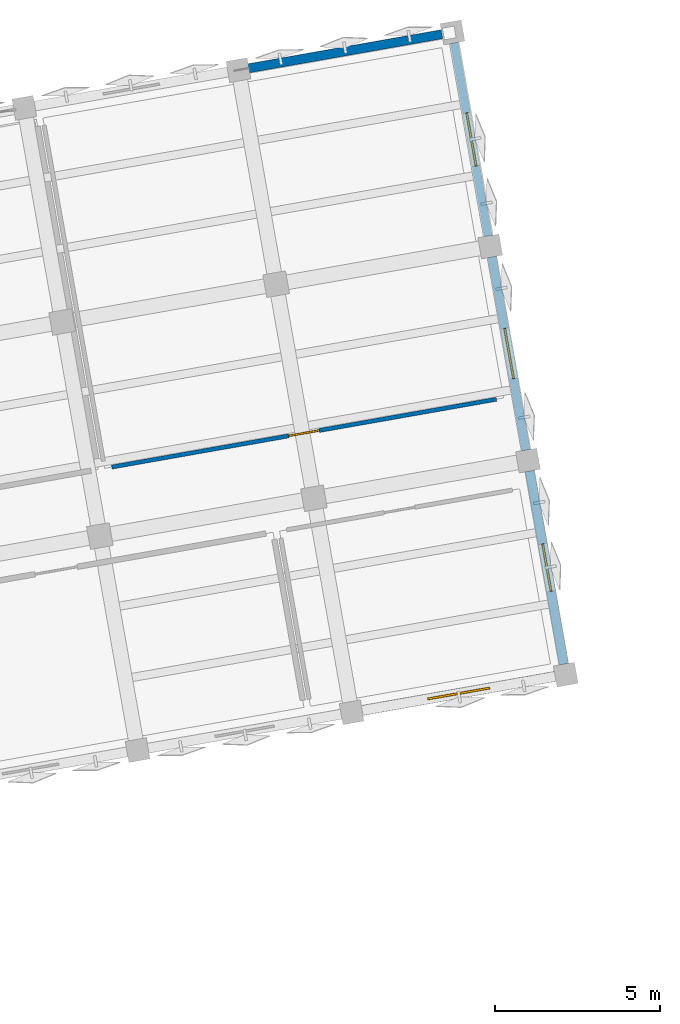
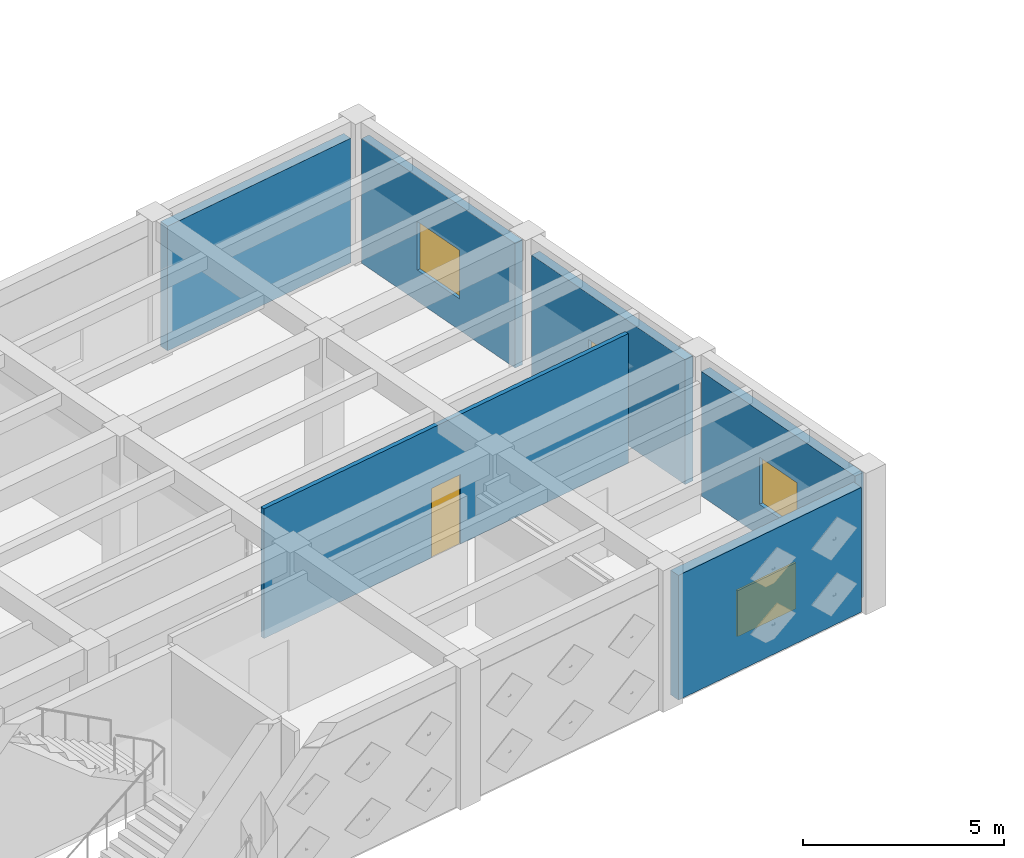
# One storey, part 39 of 48: 6 walls, 4 windows, 1 door, 5 openings.
"""IFC4 building model written with IfcOpenShell, lengths in metres."""

from ifc_helpers import new_model, si_unit, direction, frame, frame_2d, origin, place, context, subcontext, project, spatial, rectangle, extrude, material, layer, layer_set, type_object, element, fill, save


model = new_model("IFC4")

# Units and contexts
model_context = context("Model", 3, precision=1e-05, world=origin(), true_north=direction((0.0, 1.0)))
body_context = subcontext(model_context, "Body", "Model", "MODEL_VIEW")
ifc_project = project(units=[si_unit("LENGTHUNIT", "METRE"), si_unit("AREAUNIT", "SQUARE_METRE"), si_unit("VOLUMEUNIT", "CUBIC_METRE"), si_unit("PLANEANGLEUNIT", "RADIAN"), si_unit("MASSUNIT", "GRAM", prefix="KILO")], contexts=[model_context])

# Site, building, storey
site_placement = place(None, origin())
site = spatial("IfcSite", under=ifc_project, at=site_placement, CompositionType="ELEMENT")
building_placement = place(site_placement, origin())
building = spatial("IfcBuilding", under=site, at=building_placement, Name="Kharisveld Research Institute", CompositionType="ELEMENT")
storey_placement = place(building_placement, frame((0.0, 0.0, 14.10009765625)))
storey = spatial("IfcBuildingStorey", under=building, at=storey_placement, Name="L03", CompositionType="ELEMENT", Elevation=14.10009765625)

# Wall, opening, window
ifc_material_1 = material(Name="Lightweight Acoustic Spandrel", Category="mineral")
ifc_layer_1 = layer(ifc_material_1, 0.2451171875)
ifc_layer_set_1 = layer_set([ifc_layer_1], Name="WL_EXT_245")
wall_type_1 = type_object("IfcWallType", Name="WL_EXT_245", PredefinedType="STANDARD", material=ifc_layer_set_1)
wall_1_placement = place(storey_placement, frame((40.815673828125, 61.070556640625, 0.0), z_axis=(0.0, 0.0, 1.0), x_axis=(0.173645120828, -0.98480829201, 0.0)))
wall_1 = element("IfcWall", 1, at=wall_1_placement, inside=storey, type_object=wall_type_1, Name="WL:V1:L03:E3", PredefinedType="STANDARD", context=body_context, shape_type="SweptSolid", body=[
    extrude(rectangle(XDim=5.9599609375, YDim=0.2451171875, at=frame_2d((2.97998046875, 0.0))), origin(), (0.0, 0.0, 1.0), 3.794921875),
])
opening_1_placement = place(wall_1_placement, frame((2.159912109375, 0.0, 0.949951171875)))
opening_1 = element("IfcOpeningElement", 2, at=opening_1_placement, cuts=wall_1, Name="Opening WN-26", PredefinedType="OPENING", context=body_context, shape_type="SweptSolid", body=[
    extrude(rectangle(XDim=1.639892578125, YDim=1.47998046875, at=frame_2d((0.81982421875, 0.739990234375))), frame((0.0, 0.12255859375, 0.0), z_axis=(0.0, -1.0, 0.0), x_axis=(1.0, 0.0, 0.0)), (0.0, 0.0, 1.0), 0.2451171875),
])
ifc_material_2 = material(Name="Low-E Double Glazing", Category="glass")
window_type_1 = type_object("IfcWindowType", Name="WN_26", PartitioningType="DOUBLE_PANEL_VERTICAL", PredefinedType="WINDOW", material=ifc_material_2)
window_1_placement = place(opening_1_placement, origin())
window_1 = element("IfcWindow", 3, at=window_1_placement, inside=storey, type_object=window_type_1, Name="WN:V1:L03:E3", OverallHeight=1.47998046875, OverallWidth=1.639892578125, PartitioningType="SINGLE_PANEL", PredefinedType="WINDOW", context=body_context, shape_type="SweptSolid", body=[
    extrude(rectangle(XDim=1.639892578125, YDim=1.47998046875, at=frame_2d((0.81982421875, 0.739990234375))), frame((0.0, 0.030029296875, 0.0), z_axis=(0.0, -1.0, 0.0), x_axis=(1.0, 0.0, 0.0)), (0.0, 0.0, 1.0), 0.06005859375),
])
fill(opening_1, window_1)

ifc_material_3 = material(Name="Precast Concrete C40/50 Thermal Wall", Category="concrete")
ifc_layer_2 = layer(ifc_material_3, 0.260009765625)
ifc_layer_set_2 = layer_set([ifc_layer_2], Name="WL_EXT_260")
wall_type_2 = type_object("IfcWallType", Name="WL_EXT_260", PredefinedType="STANDARD", material=ifc_layer_set_2)
wall_2_placement = place(storey_placement, frame((41.9619140625, 54.57080078125, 0.0), z_axis=(0.0, 0.0, 1.0), x_axis=(0.173645120828, -0.98480829201, 0.0)))
wall_2 = element("IfcWall", 4, at=wall_2_placement, inside=storey, type_object=wall_type_2, Name="WL:V1:L03:E2", PredefinedType="STANDARD", context=body_context, shape_type="SweptSolid", body=[
    extrude(rectangle(XDim=5.9599609375, YDim=0.260009765625, at=frame_2d((2.97998046875, 0.0))), origin(), (0.0, 0.0, 1.0), 3.794921875),
])
opening_2_placement = place(wall_2_placement, frame((2.205078125, 0.0, 0.949951171875)))
opening_2 = element("IfcOpeningElement", 5, at=opening_2_placement, cuts=wall_2, Name="Opening WN-25", PredefinedType="OPENING", context=body_context, shape_type="SweptSolid", body=[
    extrude(rectangle(XDim=1.550048828125, YDim=1.4599609375, at=frame_2d((0.77490234375, 0.72998046875))), frame((0.0, 0.1298828125, 0.0), z_axis=(0.0, -1.0, 0.0), x_axis=(1.0, 0.0, 0.0)), (0.0, 0.0, 1.0), 0.260009765625),
])
ifc_material_4 = material(Name="Low-E Double Glazing", Category="glass")
window_type_2 = type_object("IfcWindowType", Name="WN_25", PartitioningType="DOUBLE_PANEL_VERTICAL", PredefinedType="WINDOW", material=ifc_material_4)
window_2_placement = place(opening_2_placement, origin())
window_2 = element("IfcWindow", 6, at=window_2_placement, inside=storey, type_object=window_type_2, Name="WN:V1:L03:E2", OverallHeight=1.4599609375, OverallWidth=1.550048828125, PartitioningType="SINGLE_PANEL", PredefinedType="WINDOW", context=body_context, shape_type="SweptSolid", body=[
    extrude(rectangle(XDim=1.550048828125, YDim=1.4599609375, at=frame_2d((0.77490234375, 0.72998046875))), frame((0.0, 0.030029296875, 0.0), z_axis=(0.0, -1.0, 0.0), x_axis=(1.0, 0.0, 0.0)), (0.0, 0.0, 1.0), 0.06005859375),
])
fill(opening_2, window_2)

# Wall
ifc_material_5 = material(Name="Precast Concrete C40/50 Thermal Wall", Category="concrete")
ifc_layer_3 = layer(ifc_material_5, 0.27490234375)
ifc_layer_set_3 = layer_set([ifc_layer_3], Name="WL_EXT_275")
wall_type_3 = type_object("IfcWallType", Name="WL_EXT_275", PredefinedType="STANDARD", material=ifc_layer_set_3)
wall_3_placement = place(storey_placement, frame((34.575439453125, 60.295166015625, 0.0), z_axis=(0.0, 0.0, 1.0), x_axis=(0.984809527099, 0.173638116021, 0.0)))
element("IfcWall", 7, at=wall_3_placement, inside=storey, type_object=wall_type_3, Name="WL:V1:L03:N5", PredefinedType="STANDARD", context=body_context, shape_type="SweptSolid", body=[
    extrude(rectangle(XDim=5.960205078125, YDim=0.27490234375, at=frame_2d((2.97998046875, 0.0))), origin(), (0.0, 0.0, 1.0), 3.794921875),
])

# Wall, opening, window
wall_4_placement = place(storey_placement, frame((43.10791015625, 48.071044921875, 0.0), z_axis=(0.0, 0.0, 1.0), x_axis=(0.173645120828, -0.98480829201, 0.0)))
wall_4 = element("IfcWall", 8, at=wall_4_placement, inside=storey, type_object=wall_type_3, Name="WL:V1:L03:E1", PredefinedType="STANDARD", context=body_context, shape_type="SweptSolid", body=[
    extrude(rectangle(XDim=5.9599609375, YDim=0.27490234375, at=frame_2d((2.97998046875, 0.0))), origin(), (0.0, 0.0, 1.0), 3.794921875),
])
opening_3_placement = place(wall_4_placement, frame((2.25, 0.0, 0.949951171875)))
opening_3 = element("IfcOpeningElement", 9, at=opening_3_placement, cuts=wall_4, Name="Opening WN-24", PredefinedType="OPENING", context=body_context, shape_type="SweptSolid", body=[
    extrude(rectangle(XDim=1.4599609375, YDim=1.43994140625, at=frame_2d((0.72998046875, 0.719970703125))), frame((0.0, 0.137451171875, 0.0), z_axis=(0.0, -1.0, 0.0), x_axis=(1.0, 0.0, 0.0)), (0.0, 0.0, 1.0), 0.27490234375),
])
ifc_material_6 = material(Name="Low-E Double Glazing", Category="glass")
window_type_3 = type_object("IfcWindowType", Name="WN_24", PartitioningType="DOUBLE_PANEL_VERTICAL", PredefinedType="WINDOW", material=ifc_material_6)
window_3_placement = place(opening_3_placement, origin())
window_3 = element("IfcWindow", 10, at=window_3_placement, inside=storey, type_object=window_type_3, Name="WN:V1:L03:E1", OverallHeight=1.43994140625, OverallWidth=1.4599609375, PartitioningType="SINGLE_PANEL", PredefinedType="WINDOW", context=body_context, shape_type="SweptSolid", body=[
    extrude(rectangle(XDim=1.4599609375, YDim=1.43994140625, at=frame_2d((0.72998046875, 0.719970703125))), frame((0.0, 0.030029296875, 0.0), z_axis=(0.0, -1.0, 0.0), x_axis=(1.0, 0.0, 0.0)), (0.0, 0.0, 1.0), 0.06005859375),
])
fill(opening_3, window_3)

ifc_material_7 = material(Name="Precast Concrete C40/50 Ochre Panel", Category="concrete")
ifc_layer_4 = layer(ifc_material_7, 0.304931640625)
ifc_layer_set_4 = layer_set([ifc_layer_4], Name="WL_EXT_305")
wall_type_4 = type_object("IfcWallType", Name="WL_EXT_305", PredefinedType="STANDARD", material=ifc_layer_set_4)
wall_5_placement = place(storey_placement, frame((43.88330078125, 41.830810546875, 0.0), z_axis=(0.0, 0.0, 1.0), x_axis=(-0.98480829201, -0.173645120828, 0.0)))
wall_5 = element("IfcWall", 11, at=wall_5_placement, inside=storey, type_object=wall_type_4, Name="WL:V1:L03:S6", PredefinedType="STANDARD", context=body_context, shape_type="SweptSolid", body=[
    extrude(rectangle(XDim=5.9599609375, YDim=0.304931640625, at=frame_2d((2.97998046875, 0.0))), origin(), (0.0, 0.0, 1.0), 3.794921875),
])
opening_4_placement = place(wall_5_placement, frame((2.02490234375, 0.0, 0.949951171875)))
opening_4 = element("IfcOpeningElement", 12, at=opening_4_placement, cuts=wall_5, Name="Opening WN-29", PredefinedType="OPENING", context=body_context, shape_type="SweptSolid", body=[
    extrude(rectangle(XDim=1.909912109375, YDim=1.39990234375, at=frame_2d((0.955078125, 0.699951171875))), frame((0.0, 0.15234375, 0.0), z_axis=(0.0, -1.0, 0.0), x_axis=(1.0, 0.0, 0.0)), (0.0, 0.0, 1.0), 0.304931640625),
])
ifc_material_8 = material(Name="Low-E Double Glazing", Category="glass")
window_type_4 = type_object("IfcWindowType", Name="WN_29", PartitioningType="DOUBLE_PANEL_VERTICAL", PredefinedType="WINDOW", material=ifc_material_8)
window_4_placement = place(opening_4_placement, origin())
window_4 = element("IfcWindow", 13, at=window_4_placement, inside=storey, type_object=window_type_4, Name="WN:V1:L03:S6", OverallHeight=1.39990234375, OverallWidth=1.909912109375, PartitioningType="SINGLE_PANEL", PredefinedType="WINDOW", context=body_context, shape_type="SweptSolid", body=[
    extrude(rectangle(XDim=1.909912109375, YDim=1.39990234375, at=frame_2d((0.955078125, 0.699951171875))), frame((0.0, 0.030029296875, 0.0), z_axis=(0.0, -1.0, 0.0), x_axis=(1.0, 0.0, 0.0)), (0.0, 0.0, 1.0), 0.06005859375),
])
fill(opening_4, window_4)

# Wall, opening, door
ifc_material_9 = material(Name="Insulated Stud Partition", Category="mineral")
ifc_layer_5 = layer(ifc_material_9, 0.125)
ifc_layer_set_5 = layer_set([ifc_layer_5], Name="WL_OFF_125")
wall_type_5 = type_object("IfcWallType", Name="WL_OFF_125", PredefinedType="PARTITIONING", material=ifc_layer_set_5)
wall_6_placement = place(storey_placement, frame((30.41455078125, 48.188720703125, 0.0), z_axis=(0.0, 0.0, 1.0), x_axis=(0.984810073067, 0.173635019467, 0.0)))
wall_6 = element("IfcWall", 14, at=wall_6_placement, inside=storey, type_object=wall_type_5, Name="WL:RM:V1:L03:N3:S", PredefinedType="PARTITIONING", context=body_context, shape_type="SweptSolid", body=[
    extrude(rectangle(XDim=11.860107421875, YDim=0.125, at=frame_2d((5.93017578125, 0.0))), origin(), (0.0, 0.0, 1.0), 3.949951171875),
])
opening_5_placement = place(wall_6_placement, frame((5.4599609375, 0.0, 0.0)))
opening_5 = element("IfcOpeningElement", 15, at=opening_5_placement, cuts=wall_6, Name="Opening DI-098", PredefinedType="OPENING", context=body_context, shape_type="SweptSolid", body=[
    extrude(rectangle(XDim=0.93994140625, YDim=2.1201171875, at=frame_2d((0.469970703125, 1.06005859375))), frame((0.0, 0.0625, 0.0), z_axis=(0.0, -1.0, 0.0), x_axis=(1.0, 0.0, 0.0)), (0.0, 0.0, 1.0), 0.125),
])
ifc_material_10 = material(Name="Flush Painted Hardwood and Anodised Aluminium", Category="wood")
door_type = type_object("IfcDoorType", Name="DR_OFF_094", OperationType="NOTDEFINED", PredefinedType="DOOR", material=ifc_material_10)
door_placement = place(opening_5_placement, origin())
door = element("IfcDoor", 16, at=door_placement, inside=storey, type_object=door_type, Name="DR:RM:V1:L03:N3:S", OperationType="SINGLE_SWING_LEFT", OverallHeight=2.1201171875, OverallWidth=0.93994140625, PredefinedType="DOOR", context=body_context, shape_type="SweptSolid", body=[
    extrude(rectangle(XDim=0.93994140625, YDim=2.1201171875, at=frame_2d((0.469970703125, 1.06005859375))), frame((0.0, 0.02490234375, 0.0), z_axis=(0.0, -1.0, 0.0), x_axis=(1.0, 0.0, 0.0)), (0.0, 0.0, 1.0), 0.050048828125),
])
fill(opening_5, door)

save(model, "model.ifc")
